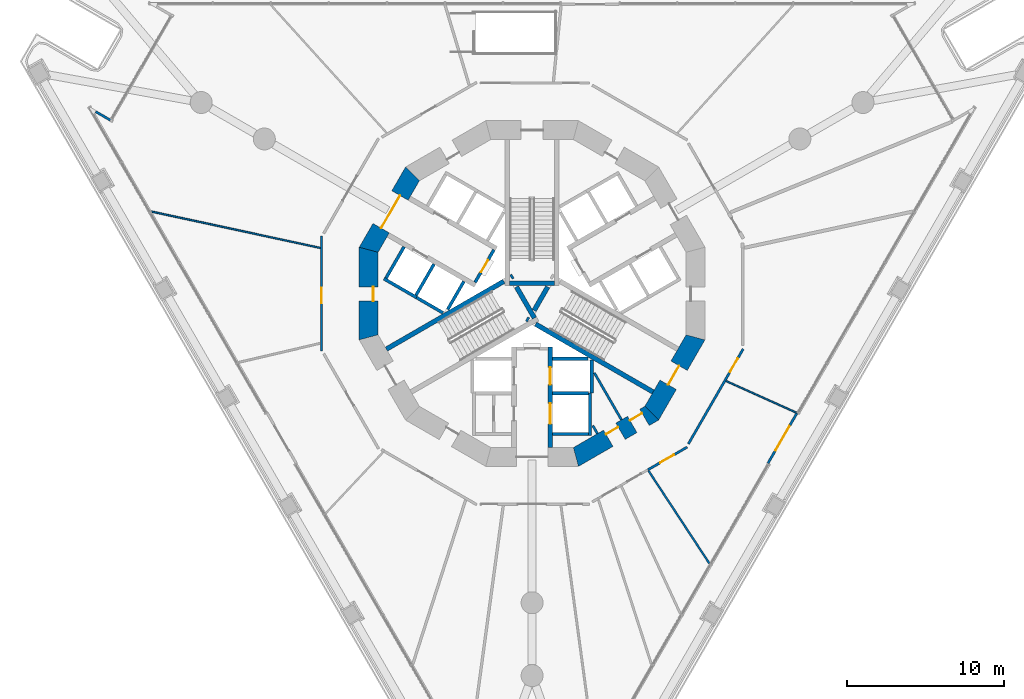
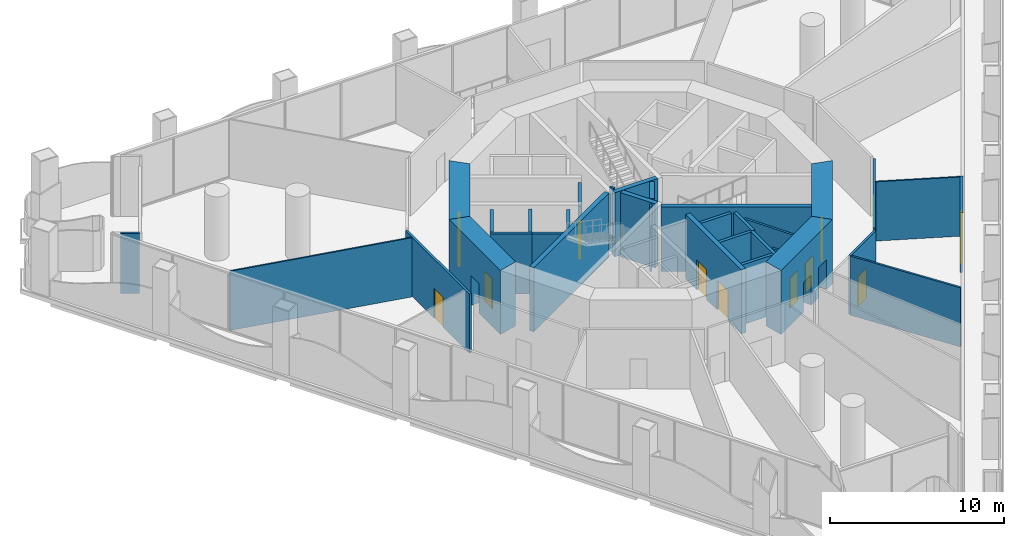
# One storey, part 11 of 21: 33 walls, 12 doors, 12 openings.
"""IFC4 building model written with IfcOpenShell, lengths in metres."""

from ifc_helpers import new_model, si_unit, direction, frame, frame_2d, origin, place, context, subcontext, project, spatial, polyline, rectangle, outline, extrude, material, layer, layer_set, type_object, element, fill, save


model = new_model("IFC4")

# Units and contexts
model_context = context("Model", 3, precision=1e-05, world=origin(), true_north=direction((0.0, 1.0)))
body_context = subcontext(model_context, "Body", "Model", "MODEL_VIEW")
ifc_project = project(units=[si_unit("LENGTHUNIT", "METRE"), si_unit("AREAUNIT", "SQUARE_METRE"), si_unit("VOLUMEUNIT", "CUBIC_METRE"), si_unit("PLANEANGLEUNIT", "RADIAN"), si_unit("MASSUNIT", "GRAM", prefix="KILO")], contexts=[model_context])

# Site, building, storey
site_placement = place(None, origin())
site = spatial("IfcSite", under=ifc_project, at=site_placement, CompositionType="ELEMENT")
building_placement = place(site_placement, origin())
building = spatial("IfcBuilding", under=site, at=building_placement, Name="Trine Commons Tower", CompositionType="ELEMENT")
storey_placement = place(building_placement, frame((0.0, 0.0, 27.0)))
storey = spatial("IfcBuildingStorey", under=building, at=storey_placement, Name="L05", CompositionType="ELEMENT", Elevation=27.0)

# Wall, opening, door
ifc_material_1 = material(Name="Plasterboard on steel stud", Category="steel")
ifc_layer_1 = layer(ifc_material_1, 0.14990234375)
ifc_layer_set_1 = layer_set([ifc_layer_1], Name="Plasterboard on steel stud")
wall_type_1 = type_object("IfcWallType", Name="Compartment wall 150 mm, EI 60", PredefinedType="PARTITIONING", material=ifc_layer_set_1)
wall_1_placement = place(storey_placement, frame((66.58837890625, 58.831298828125, 0.0), z_axis=(0.0, 0.0, 1.0), x_axis=(0.0, 1.0, 0.0)))
wall_1 = element("IfcWall", 1, at=wall_1_placement, inside=storey, type_object=wall_type_1, Name="Partition P5004", PredefinedType="PARTITIONING", context=body_context, shape_type="SweptSolid", body=[
    extrude(rectangle(XDim=7.33740234375, YDim=0.14990234375, at=frame_2d((3.668701171875, 0.0))), origin(), (0.0, 0.0, 1.0), 4.14990234375),
])
opening_1_placement = place(wall_1_placement, frame((3.039306640625, 0.0, 0.0)))
opening_1 = element("IfcOpeningElement", 2, at=opening_1_placement, cuts=wall_1, Name="Opening D-P501", PredefinedType="OPENING", context=body_context, shape_type="SweptSolid", body=[
    extrude(rectangle(XDim=1.0, YDim=2.10009765625, at=frame_2d((0.5, 1.050048828125))), frame((0.0, 0.0849609375, 0.0), z_axis=(0.0, -1.0, 0.0), x_axis=(1.0, 0.0, 0.0)), (0.0, 0.0, 1.0), 0.169921875),
])
ifc_material_2 = material(Name="Timber fire door set", Category="wood")
door_type_1 = type_object("IfcDoorType", Name="Single swing door 1000x2100, FD30S", OperationType="SINGLE_SWING_LEFT", PredefinedType="DOOR", material=ifc_material_2)
door_1_placement = place(opening_1_placement, origin())
door_1 = element("IfcDoor", 3, at=door_1_placement, inside=storey, type_object=door_type_1, Name="Door D-P501", OperationType="SINGLE_SWING_LEFT", OverallHeight=2.10009765625, OverallWidth=1.0, PredefinedType="DOOR", context=body_context, shape_type="SweptSolid", body=[
    extrude(rectangle(XDim=1.0, YDim=2.10009765625, at=frame_2d((0.5, 1.050048828125))), frame((0.0, 0.02490234375, 0.0), z_axis=(0.0, -1.0, 0.0), x_axis=(1.0, 0.0, 0.0)), (0.0, 0.0, 1.0), 0.050048828125),
])
fill(opening_1, door_1)

wall_2_placement = place(storey_placement, frame((89.8828125, 52.719482421875, 0.0), z_axis=(0.0, 0.0, 1.0), x_axis=(-0.866045189084, -0.49996572929, 0.0)))
wall_2 = element("IfcWall", 4, at=wall_2_placement, inside=storey, type_object=wall_type_1, Name="Partition P5024", PredefinedType="PARTITIONING", context=body_context, shape_type="SweptSolid", body=[
    extrude(rectangle(XDim=2.895751953125, YDim=0.14990234375, at=frame_2d((1.44775390625, 0.0))), origin(), (0.0, 0.0, 1.0), 4.14990234375),
])
opening_2_placement = place(wall_2_placement, frame((0.9853515625, 0.0, 0.0)))
opening_2 = element("IfcOpeningElement", 5, at=opening_2_placement, cuts=wall_2, Name="Opening D-P513", PredefinedType="OPENING", context=body_context, shape_type="SweptSolid", body=[
    extrude(rectangle(XDim=1.0, YDim=2.10009765625, at=frame_2d((0.5, 1.050048828125))), frame((0.0, 0.0849609375, 0.0), z_axis=(0.0, -1.0, 0.0), x_axis=(1.0, 0.0, 0.0)), (0.0, 0.0, 1.0), 0.169921875),
])
door_2_placement = place(opening_2_placement, origin())
door_2 = element("IfcDoor", 6, at=door_2_placement, inside=storey, type_object=door_type_1, Name="Door D-P513", OperationType="SINGLE_SWING_LEFT", OverallHeight=2.10009765625, OverallWidth=1.0, PredefinedType="DOOR", context=body_context, shape_type="SweptSolid", body=[
    extrude(rectangle(XDim=1.0, YDim=2.10009765625, at=frame_2d((0.5, 1.050048828125))), frame((0.0, 0.02490234375, 0.0), z_axis=(0.0, -1.0, 0.0), x_axis=(1.0, 0.0, 0.0)), (0.0, 0.0, 1.0), 0.050048828125),
])
fill(opening_2, door_2)

wall_3_placement = place(storey_placement, frame((93.448974609375, 58.971435546875, 0.0), z_axis=(0.0, 0.0, 1.0), x_axis=(-0.49997871953, -0.866037689721, 0.0)))
wall_3 = element("IfcWall", 7, at=wall_3_placement, inside=storey, type_object=wall_type_1, Name="Partition P5027", PredefinedType="PARTITIONING", context=body_context, shape_type="SweptSolid", body=[
    extrude(rectangle(XDim=6.982177734375, YDim=0.14990234375, at=frame_2d((3.4912109375, 0.0))), origin(), (0.0, 0.0, 1.0), 4.14990234375),
])
opening_3_placement = place(wall_3_placement, frame((0.697265625, 0.0, 0.0)))
opening_3 = element("IfcOpeningElement", 8, at=opening_3_placement, cuts=wall_3, Name="Opening D-P514", PredefinedType="OPENING", context=body_context, shape_type="SweptSolid", body=[
    extrude(rectangle(XDim=1.0, YDim=2.10009765625, at=frame_2d((0.5, 1.050048828125))), frame((0.0, 0.0849609375, 0.0), z_axis=(0.0, -1.0, 0.0), x_axis=(1.0, 0.0, 0.0)), (0.0, 0.0, 1.0), 0.169921875),
])
door_3_placement = place(opening_3_placement, origin())
door_3 = element("IfcDoor", 9, at=door_3_placement, inside=storey, type_object=door_type_1, Name="Door D-P514", OperationType="SINGLE_SWING_LEFT", OverallHeight=2.10009765625, OverallWidth=1.0, PredefinedType="DOOR", context=body_context, shape_type="SweptSolid", body=[
    extrude(rectangle(XDim=1.0, YDim=2.10009765625, at=frame_2d((0.5, 1.050048828125))), frame((0.0, 0.02490234375, 0.0), z_axis=(0.0, -1.0, 0.0), x_axis=(1.0, 0.0, 0.0)), (0.0, 0.0, 1.0), 0.050048828125),
])
fill(opening_3, door_3)

# Walls
ifc_material_3 = material(Name="Plasterboard partition on steel studs", Category="steel")
ifc_layer_2 = layer(ifc_material_3, 0.14990234375)
ifc_layer_set_2 = layer_set([ifc_layer_2], Name="Plasterboard partition on steel studs")
wall_type_2 = type_object("IfcWallType", Name="Core room partition 150 mm, EI 60", PredefinedType="PARTITIONING", material=ifc_layer_set_2)
wall_4_placement = place(storey_placement, frame((84.1640625, 53.574951171875, 0.0), z_axis=(0.0, 0.0, 1.0), x_axis=(-0.500665675203, 0.865640734759, 0.0)))
element("IfcWall", 10, at=wall_4_placement, inside=storey, type_object=wall_type_2, Name="Core room partition L05", PredefinedType="PARTITIONING", context=body_context, shape_type="SweptSolid", body=[
    extrude(rectangle(XDim=0.597412109375, YDim=0.14990234375, at=frame_2d((0.298828125, 0.0))), origin(), (0.0, 0.0, 1.0), 4.199951171875),
])
wall_5_placement = place(storey_placement, frame((85.693115234375, 54.4580078125, 0.0), z_axis=(0.0, 0.0, 1.0), x_axis=(-0.500258757272, 0.865875958653, 0.0)))
element("IfcWall", 11, at=wall_5_placement, inside=storey, type_object=wall_type_2, Name="Core room partition L05", PredefinedType="PARTITIONING", context=body_context, shape_type="SweptSolid", body=[
    extrude(rectangle(XDim=3.454345703125, YDim=0.14990234375, at=frame_2d((1.72705078125, 0.0))), origin(), (0.0, 0.0, 1.0), 4.199951171875),
])

# Wall, opening, door
ifc_material_4 = material(Name="Aluminium-framed insulated wall panel", Category="aluminium")
ifc_layer_3 = layer(ifc_material_4, 0.14990234375)
ifc_layer_set_3 = layer_set([ifc_layer_3], Name="Aluminium-framed insulated wall panel")
wall_type_3 = type_object("IfcWallType", Name="Glazed entrance wall 150, EI 60", PredefinedType="SOLIDWALL", material=ifc_layer_set_3)
wall_6_placement = place(storey_placement, frame((96.876708984375, 54.89208984375, 0.0), z_axis=(0.0, 0.0, 1.0), x_axis=(-0.500029062817, -0.866008623709, 0.0)))
wall_6 = element("IfcWall", 12, at=wall_6_placement, inside=storey, type_object=wall_type_3, Name="Glazed entrance wall L05 F2 7", PredefinedType="SOLIDWALL", context=body_context, shape_type="SweptSolid", body=[
    extrude(rectangle(XDim=3.698974609375, YDim=0.14990234375, at=frame_2d((1.849609375, 0.0))), origin(), (0.0, 0.0, 1.0), 4.199951171875),
])
opening_4_placement = place(wall_6_placement, frame((0.949462890625, 0.0, 0.0)))
opening_4 = element("IfcOpeningElement", 13, at=opening_4_placement, cuts=wall_6, Name="Opening SD-L05-F2-07", PredefinedType="OPENING", context=body_context, shape_type="SweptSolid", body=[
    extrude(rectangle(XDim=1.800048828125, YDim=2.39990234375, at=frame_2d((0.89990234375, 1.199951171875))), frame((0.0, 0.0849609375, 0.0), z_axis=(0.0, -1.0, 0.0), x_axis=(1.0, 0.0, 0.0)), (0.0, 0.0, 1.0), 0.169921875),
])
ifc_material_5 = material(Name="Anodised aluminium frame with double glazing", Category="aluminium")
door_type_2 = type_object("IfcDoorType", Name="Sliding double door 1800x2400", OperationType="DOUBLE_DOOR_SLIDING", PredefinedType="DOOR", material=ifc_material_5)
door_4_placement = place(opening_4_placement, origin())
door_4 = element("IfcDoor", 14, at=door_4_placement, inside=storey, type_object=door_type_2, Name="Loggia door L05 F2 7", OperationType="DOUBLE_DOOR_SLIDING", OverallHeight=2.39990234375, OverallWidth=1.800048828125, PredefinedType="DOOR", context=body_context, shape_type="SweptSolid", body=[
    extrude(rectangle(XDim=1.800048828125, YDim=2.39990234375, at=frame_2d((0.89990234375, 1.199951171875))), frame((0.0, 0.02490234375, 0.0), z_axis=(0.0, -1.0, 0.0), x_axis=(1.0, 0.0, 0.0)), (0.0, 0.0, 1.0), 0.050048828125),
])
fill(opening_4, door_4)

# Wall
ifc_layer_4 = layer(ifc_material_4, 0.14990234375)
ifc_layer_set_4 = layer_set([ifc_layer_4], Name="Aluminium-framed insulated wall panel")
wall_type_4 = type_object("IfcWallType", Name="Glazed frame wall 150, EI 60", PredefinedType="SOLIDWALL", material=ifc_layer_set_4)
wall_7_placement = place(storey_placement, frame((52.074462890625, 74.159912109375, 0.0), z_axis=(0.0, 0.0, 1.0), x_axis=(0.865989100438, -0.500062873969, 0.0)))
element("IfcWall", 15, at=wall_7_placement, inside=storey, type_object=wall_type_4, Name="Glazed frame wall L05 R1", PredefinedType="SOLIDWALL", context=body_context, shape_type="SweptSolid", body=[
    extrude(outline(polyline([(0.1494140625, 0.074951171875), (0.1494140625, -0.074951171875), (1.235107421875, -0.074951171875), (1.235107421875, 0.074951171875), (0.1494140625, 0.074951171875)])), origin(), (0.0, 0.0, 1.0), 4.199951171875),
])

# Wall, opening, door
ifc_material_6 = material(Name="Fire-rated gypsum shaft wall system")
ifc_layer_5 = layer(ifc_material_6, 0.199951171875)
ifc_layer_set_5 = layer_set([ifc_layer_5], Name="Fire-rated gypsum shaft wall system")
wall_type_5 = type_object("IfcWallType", Name="Lobby end wall 200 mm, EI 120", PredefinedType="PARTITIONING", material=ifc_layer_set_5)
wall_8_placement = place(storey_placement, frame((77.569091796875, 65.2890625, 0.0), z_axis=(0.0, 0.0, 1.0), x_axis=(-0.50012165622, -0.865955154139, 0.0)))
wall_8 = element("IfcWall", 16, at=wall_8_placement, inside=storey, type_object=wall_type_5, Name="Lobby end wall L05", PredefinedType="PARTITIONING", context=body_context, shape_type="SweptSolid", body=[
    extrude(rectangle(XDim=2.39990234375, YDim=0.199951171875, at=frame_2d((1.199951171875, 0.0))), origin(), (0.0, 0.0, 1.0), 4.199951171875),
])
opening_5_placement = place(wall_8_placement, frame((0.749755859375, 0.0, 0.0)))
opening_5 = element("IfcOpeningElement", 17, at=opening_5_placement, cuts=wall_8, Name="Opening K04.07", PredefinedType="OPENING", context=body_context, shape_type="SweptSolid", body=[
    extrude(rectangle(XDim=0.89990234375, YDim=2.10009765625, at=frame_2d((0.449951171875, 1.050048828125))), frame((0.0, 0.10986328125, 0.0), z_axis=(0.0, -1.0, 0.0), x_axis=(1.0, 0.0, 0.0)), (0.0, 0.0, 1.0), 0.219970703125),
])
ifc_material_7 = material(Name="Steel door leaf, fire-rated", Category="steel")
door_type_3 = type_object("IfcDoorType", Name="Riser access door, single leaf 900 x 2100, FD60", OperationType="SINGLE_SWING_LEFT", PredefinedType="DOOR", material=ifc_material_7)
door_5_placement = place(opening_5_placement, frame((0.89990234375, 0.0, 0.0), z_axis=(0.0, 0.0, 1.0), x_axis=(-1.0, 0.0, 0.0)))
door_5 = element("IfcDoor", 18, at=door_5_placement, inside=storey, type_object=door_type_3, Name="Riser door, Mechanical riser L05", OperationType="SINGLE_SWING_RIGHT", OverallHeight=2.10009765625, OverallWidth=0.89990234375, PredefinedType="DOOR", context=body_context, shape_type="SweptSolid", body=[
    extrude(rectangle(XDim=0.89990234375, YDim=2.10009765625, at=frame_2d((0.449951171875, 1.050048828125))), frame((0.0, 0.02490234375, 0.0), z_axis=(0.0, -1.0, 0.0), x_axis=(1.0, 0.0, 0.0)), (0.0, 0.0, 1.0), 0.050048828125),
])
fill(opening_5, door_5)

# Walls
ifc_layer_6 = layer(ifc_material_1, 0.10009765625)
ifc_layer_set_6 = layer_set([ifc_layer_6], Name="Plasterboard on steel stud")
wall_type_6 = type_object("IfcWallType", Name="Partition wall 100 mm stud, not rated", PredefinedType="PARTITIONING", material=ifc_layer_set_6)
wall_9_placement = place(storey_placement, frame((55.756103515625, 67.722412109375, 0.0), z_axis=(0.0, 0.0, 1.0), x_axis=(0.97757728006, -0.210576972887, 0.0)))
element("IfcWall", 19, at=wall_9_placement, inside=storey, type_object=wall_type_6, Name="Partition P5001", PredefinedType="PARTITIONING", context=body_context, shape_type="SweptSolid", body=[
    extrude(rectangle(XDim=10.993408203125, YDim=0.10009765625, at=frame_2d((5.49658203125, 0.0))), origin(), (0.0, 0.0, 1.0), 4.14990234375),
])
wall_10_placement = place(storey_placement, frame((92.36279296875, 56.9296875, 0.0), z_axis=(0.0, 0.0, 1.0), x_axis=(0.911740277215, -0.410767168727, 0.0)))
element("IfcWall", 20, at=wall_10_placement, inside=storey, type_object=wall_type_6, Name="Partition P5029", PredefinedType="PARTITIONING", context=body_context, shape_type="SweptSolid", body=[
    extrude(rectangle(XDim=4.917724609375, YDim=0.10009765625, at=frame_2d((2.458984375, 0.0))), origin(), (0.0, 0.0, 1.0), 4.14990234375),
])

# Wall, opening, door
ifc_material_8 = material(Name="Concrete C80/95", Category="concrete")
ifc_layer_7 = layer(ifc_material_8, 1.199951171875)
ifc_layer_set_7 = layer_set([ifc_layer_7], Name="Concrete C80/95")
wall_type_7 = type_object("IfcWallType", Name="RC shear wall 1200 mm, C80/95", PredefinedType="SHEAR", material=ifc_layer_set_7)
wall_11_placement = place(storey_placement, frame((72.45849609375, 70.260986328125, 0.0), z_axis=(0.0, 0.0, 1.0), x_axis=(-0.499979111662, -0.866037463336, 0.0)))
wall_11 = element("IfcWall", 21, at=wall_11_placement, inside=storey, type_object=wall_type_7, Name="Core wall CWA-06 L05", PredefinedType="SHEAR", context=body_context, shape_type="SweptSolid", body=[
    extrude(outline(polyline([(0.0, -0.60009765625), (5.901123046875, -0.60009765625), (5.57958984375, 0.60009765625), (0.321533203125, 0.60009765625), (0.0, -0.60009765625)])), origin(), (0.0, 0.0, 1.0), 4.5),
])
opening_6_placement = place(wall_11_placement, frame((1.75048828125, 0.0, 0.0)))
opening_6 = element("IfcOpeningElement", 22, at=opening_6_placement, cuts=wall_11, Name="Opening K04.06", PredefinedType="OPENING", context=body_context, shape_type="SweptSolid", body=[
    extrude(rectangle(XDim=2.39990234375, YDim=2.10009765625, at=frame_2d((1.199951171875, 1.050048828125))), frame((0.0, 0.60986328125, 0.0), z_axis=(0.0, -1.0, 0.0), x_axis=(1.0, 0.0, 0.0)), (0.0, 0.0, 1.0), 1.219970703125),
])
ifc_material_9 = material(Name="Steel door leaves, fire-rated", Category="steel")
door_type_4 = type_object("IfcDoorType", Name="Lobby door, double leaf 2400 x 2100, FD60", OperationType="DOUBLE_DOOR_SINGLE_SWING", PredefinedType="DOOR", material=ifc_material_9)
door_6_placement = place(opening_6_placement, origin())
door_6 = element("IfcDoor", 23, at=door_6_placement, inside=storey, type_object=door_type_4, Name="Lobby door, Passenger lift lobby B L05", OperationType="DOUBLE_DOOR_SINGLE_SWING", OverallHeight=2.10009765625, OverallWidth=2.39990234375, PredefinedType="DOOR", context=body_context, shape_type="SweptSolid", body=[
    extrude(rectangle(XDim=2.39990234375, YDim=2.10009765625, at=frame_2d((1.199951171875, 1.050048828125))), frame((0.0, 0.02490234375, 0.0), z_axis=(0.0, -1.0, 0.0), x_axis=(1.0, 0.0, 0.0)), (0.0, 0.0, 1.0), 0.050048828125),
])
fill(opening_6, door_6)

wall_12_placement = place(storey_placement, frame((69.58837890625, 65.450439453125, 0.0), z_axis=(0.0, 0.0, 1.0), x_axis=(0.0, -1.0, 0.0)))
wall_12 = element("IfcWall", 24, at=wall_12_placement, inside=storey, type_object=wall_type_7, Name="Core wall CWA-07 L05", PredefinedType="SHEAR", context=body_context, shape_type="SweptSolid", body=[
    extrude(outline(polyline([(0.0, -0.60009765625), (5.90087890625, -0.60009765625), (5.57958984375, 0.60009765625), (0.321533203125, 0.60009765625), (0.0, -0.60009765625)])), origin(), (0.0, 0.0, 1.0), 4.5),
])
opening_7_placement = place(wall_12_placement, frame((2.525390625, 0.0, 0.0)))
opening_7 = element("IfcOpeningElement", 25, at=opening_7_placement, cuts=wall_12, Name="Opening K04.14", PredefinedType="OPENING", context=body_context, shape_type="SweptSolid", body=[
    extrude(rectangle(XDim=0.89990234375, YDim=2.10009765625, at=frame_2d((0.449951171875, 1.050048828125))), frame((0.0, 0.60986328125, 0.0), z_axis=(0.0, -1.0, 0.0), x_axis=(1.0, 0.0, 0.0)), (0.0, 0.0, 1.0), 1.219970703125),
])
door_type_5 = type_object("IfcDoorType", Name="Core room door, single leaf 900 x 2100, FD30S", OperationType="SINGLE_SWING_LEFT", PredefinedType="DOOR", material=ifc_material_7)
door_7_placement = place(opening_7_placement, origin())
door_7 = element("IfcDoor", 26, at=door_7_placement, inside=storey, type_object=door_type_5, Name="Door to Print room L05", OperationType="SINGLE_SWING_RIGHT", OverallHeight=2.10009765625, OverallWidth=0.89990234375, PredefinedType="DOOR", context=body_context, shape_type="SweptSolid", body=[
    extrude(rectangle(XDim=0.89990234375, YDim=2.10009765625, at=frame_2d((0.449951171875, 1.050048828125))), frame((0.0, 0.3251953125, 0.0), z_axis=(0.0, -1.0, 0.0), x_axis=(1.0, 0.0, 0.0)), (0.0, 0.0, 1.0), 0.050048828125),
])
fill(opening_7, door_7)

# Wall, openings, doors
wall_13_placement = place(storey_placement, frame((82.650390625, 52.008056640625, 0.0), z_axis=(0.0, 0.0, 1.0), x_axis=(0.866037463336, 0.499979111662, 0.0)))
wall_13 = element("IfcWall", 27, at=wall_13_placement, inside=storey, type_object=wall_type_7, Name="Core wall CWA-11 L05", PredefinedType="SHEAR", context=body_context, shape_type="SweptSolid", body=[
    extrude(outline(polyline([(0.0, -0.60009765625), (5.901123046875, -0.60009765625), (5.57958984375, 0.60009765625), (0.321533203125, 0.60009765625), (0.0, -0.60009765625)])), origin(), (0.0, 0.0, 1.0), 4.5),
])
opening_8_placement = place(wall_13_placement, frame((2.543701171875, 0.0, 0.0)))
opening_8 = element("IfcOpeningElement", 28, at=opening_8_placement, cuts=wall_13, Name="Opening K04.16", PredefinedType="OPENING", context=body_context, shape_type="SweptSolid", body=[
    extrude(rectangle(XDim=0.89990234375, YDim=2.10009765625, at=frame_2d((0.449951171875, 1.050048828125))), frame((0.0, 0.60986328125, 0.0), z_axis=(0.0, -1.0, 0.0), x_axis=(1.0, 0.0, 0.0)), (0.0, 0.0, 1.0), 1.219970703125),
])
opening_9_placement = place(wall_13_placement, frame((4.308837890625, 0.0, 0.0)))
opening_9 = element("IfcOpeningElement", 29, at=opening_9_placement, cuts=wall_13, Name="Opening K04.17", PredefinedType="OPENING", context=body_context, shape_type="SweptSolid", body=[
    extrude(rectangle(XDim=0.89990234375, YDim=2.10009765625, at=frame_2d((0.449951171875, 1.050048828125))), frame((0.0, 0.60986328125, 0.0), z_axis=(0.0, -1.0, 0.0), x_axis=(1.0, 0.0, 0.0)), (0.0, 0.0, 1.0), 1.219970703125),
])
door_8_placement = place(opening_8_placement, origin())
door_8 = element("IfcDoor", 30, at=door_8_placement, inside=storey, type_object=door_type_5, Name="Door to Linen store L05", OperationType="SINGLE_SWING_RIGHT", OverallHeight=2.10009765625, OverallWidth=0.89990234375, PredefinedType="DOOR", context=body_context, shape_type="SweptSolid", body=[
    extrude(rectangle(XDim=0.89990234375, YDim=2.10009765625, at=frame_2d((0.449951171875, 1.050048828125))), frame((0.0, 0.3251953125, 0.0), z_axis=(0.0, -1.0, 0.0), x_axis=(1.0, 0.0, 0.0)), (0.0, 0.0, 1.0), 0.050048828125),
])
fill(opening_8, door_8)
door_9_placement = place(opening_9_placement, origin())
door_9 = element("IfcDoor", 31, at=door_9_placement, inside=storey, type_object=door_type_5, Name="Door to Pantry L05", OperationType="SINGLE_SWING_RIGHT", OverallHeight=2.10009765625, OverallWidth=0.89990234375, PredefinedType="DOOR", context=body_context, shape_type="SweptSolid", body=[
    extrude(rectangle(XDim=0.89990234375, YDim=2.10009765625, at=frame_2d((0.449951171875, 1.050048828125))), frame((0.0, 0.3251953125, 0.0), z_axis=(0.0, -1.0, 0.0), x_axis=(1.0, 0.0, 0.0)), (0.0, 0.0, 1.0), 0.050048828125),
])
fill(opening_9, door_9)

# Wall, opening, door
wall_14_placement = place(storey_placement, frame((87.54150390625, 54.739013671875, 0.0), z_axis=(0.0, 0.0, 1.0), x_axis=(0.499979111662, 0.866037463336, 0.0)))
wall_14 = element("IfcWall", 32, at=wall_14_placement, inside=storey, type_object=wall_type_7, Name="Core wall CWA-12 L05", PredefinedType="SHEAR", context=body_context, shape_type="SweptSolid", body=[
    extrude(outline(polyline([(0.0, -0.60009765625), (5.901123046875, -0.60009765625), (5.57958984375, 0.60009765625), (0.321533203125, 0.60009765625), (0.0, -0.60009765625)])), origin(), (0.0, 0.0, 1.0), 4.5),
])
opening_10_placement = place(wall_14_placement, frame((2.25048828125, 0.0, 0.0)))
opening_10 = element("IfcOpeningElement", 33, at=opening_10_placement, cuts=wall_14, Name="Opening K04.03", PredefinedType="OPENING", context=body_context, shape_type="SweptSolid", body=[
    extrude(rectangle(XDim=1.39990234375, YDim=2.10009765625, at=frame_2d((0.699951171875, 1.050048828125))), frame((0.0, 0.60986328125, 0.0), z_axis=(0.0, -1.0, 0.0), x_axis=(1.0, 0.0, 0.0)), (0.0, 0.0, 1.0), 1.219970703125),
])
door_type_6 = type_object("IfcDoorType", Name="Stair door, double leaf 1400 x 2100, FD90", OperationType="DOUBLE_DOOR_SINGLE_SWING", PredefinedType="DOOR", material=ifc_material_9)
door_10_placement = place(opening_10_placement, origin())
door_10 = element("IfcDoor", 34, at=door_10_placement, inside=storey, type_object=door_type_6, Name="Stair door to Exit stair ST3A L05", OperationType="DOUBLE_DOOR_SINGLE_SWING", OverallHeight=2.10009765625, OverallWidth=1.39990234375, PredefinedType="DOOR", context=body_context, shape_type="SweptSolid", body=[
    extrude(rectangle(XDim=1.39990234375, YDim=2.10009765625, at=frame_2d((0.699951171875, 1.050048828125))), frame((0.0, 0.02490234375, 0.0), z_axis=(0.0, -1.0, 0.0), x_axis=(1.0, 0.0, 0.0)), (0.0, 0.0, 1.0), 0.050048828125),
])
fill(opening_10, door_10)

# Wall, openings, doors
ifc_layer_8 = layer(ifc_material_8, 0.300048828125)
ifc_layer_set_8 = layer_set([ifc_layer_8], Name="Concrete C80/95")
wall_type_8 = type_object("IfcWallType", Name="RC shear wall 300 mm, C80/95", PredefinedType="SHEAR", material=ifc_layer_set_8)
wall_15_placement = place(storey_placement, frame((81.14990234375, 59.10009765625, 0.0), z_axis=(0.0, 0.0, 1.0), x_axis=(0.0, -1.0, 0.0)))
wall_15 = element("IfcWall", 35, at=wall_15_placement, inside=storey, type_object=wall_type_8, Name="Core cross wall SWA-04 L05", PredefinedType="SHEAR", context=body_context, shape_type="SweptSolid", body=[
    extrude(rectangle(XDim=6.412109375, YDim=0.300048828125, at=frame_2d((3.2060546875, 0.0))), origin(), (0.0, 0.0, 1.0), 4.5),
])
opening_11_placement = place(wall_15_placement, frame((3.60009765625, 0.0, 0.0)))
opening_11 = element("IfcOpeningElement", 36, at=opening_11_placement, cuts=wall_15, Name="Opening LD11", PredefinedType="OPENING", context=body_context, shape_type="SweptSolid", body=[
    extrude(rectangle(XDim=1.300048828125, YDim=2.10009765625, at=frame_2d((0.64990234375, 1.050048828125))), frame((0.0, 0.159912109375, 0.0), z_axis=(0.0, -1.0, 0.0), x_axis=(1.0, 0.0, 0.0)), (0.0, 0.0, 1.0), 0.320068359375),
])
opening_12_placement = place(wall_15_placement, frame((1.300048828125, 0.0, 0.0)))
opening_12 = element("IfcOpeningElement", 37, at=opening_12_placement, cuts=wall_15, Name="Opening LD9", PredefinedType="OPENING", context=body_context, shape_type="SweptSolid", body=[
    extrude(rectangle(XDim=1.10009765625, YDim=2.10009765625, at=frame_2d((0.550048828125, 1.050048828125))), frame((0.0, 0.159912109375, 0.0), z_axis=(0.0, -1.0, 0.0), x_axis=(1.0, 0.0, 0.0)), (0.0, 0.0, 1.0), 0.320068359375),
])
ifc_material_10 = material(Name="Stainless steel sliding door leaves", Category="steel")
door_type_7 = type_object("IfcDoorType", Name="Lift landing door, centre-opening sliding 1100 x 2100, FD90", OperationType="DOUBLE_DOOR_SLIDING", PredefinedType="DOOR", material=ifc_material_10)
door_11_placement = place(opening_12_placement, origin())
door_11 = element("IfcDoor", 38, at=door_11_placement, inside=storey, type_object=door_type_7, Name="Lift landing door FF1 L05", OperationType="DOUBLE_DOOR_SLIDING", OverallHeight=2.10009765625, OverallWidth=1.10009765625, PredefinedType="DOOR", context=body_context, shape_type="SweptSolid", body=[
    extrude(rectangle(XDim=1.10009765625, YDim=2.10009765625, at=frame_2d((0.550048828125, 1.050048828125))), frame((0.0, 0.02490234375, 0.0), z_axis=(0.0, -1.0, 0.0), x_axis=(1.0, 0.0, 0.0)), (0.0, 0.0, 1.0), 0.050048828125),
])
fill(opening_12, door_11)
door_type_8 = type_object("IfcDoorType", Name="Lift landing door, centre-opening sliding 1300 x 2100, FD90", OperationType="DOUBLE_DOOR_SLIDING", PredefinedType="DOOR", material=ifc_material_10)
door_12_placement = place(opening_11_placement, origin())
door_12 = element("IfcDoor", 39, at=door_12_placement, inside=storey, type_object=door_type_8, Name="Lift landing door G1 L05", OperationType="DOUBLE_DOOR_SLIDING", OverallHeight=2.10009765625, OverallWidth=1.300048828125, PredefinedType="DOOR", context=body_context, shape_type="SweptSolid", body=[
    extrude(rectangle(XDim=1.300048828125, YDim=2.10009765625, at=frame_2d((0.64990234375, 1.050048828125))), frame((0.0, 0.02490234375, 0.0), z_axis=(0.0, -1.0, 0.0), x_axis=(1.0, 0.0, 0.0)), (0.0, 0.0, 1.0), 0.050048828125),
])
fill(opening_11, door_12)

# Walls
wall_16_placement = place(storey_placement, frame((78.199951171875, 63.280029296875, 0.0), z_axis=(0.0, 0.0, 1.0), x_axis=(-0.865965399159, -0.500103916661, 0.0)))
element("IfcWall", 40, at=wall_16_placement, inside=storey, type_object=wall_type_8, Name="Core cross wall SWA-07 L05", PredefinedType="SHEAR", context=body_context, shape_type="SweptSolid", body=[
    extrude(rectangle(XDim=8.642333984375, YDim=0.300048828125, at=frame_2d((4.3212890625, 0.0))), origin(), (0.0, 0.0, 1.0), 4.5),
])
wall_17_placement = place(storey_placement, frame((78.779052734375, 63.614013671875, 0.0), z_axis=(0.0, 0.0, 1.0), x_axis=(-0.867737973955, -0.497021939713, 0.0)))
element("IfcWall", 41, at=wall_17_placement, inside=storey, type_object=wall_type_8, Name="Core cross wall SWA-09 L05", PredefinedType="SHEAR", context=body_context, shape_type="SweptSolid", body=[
    extrude(rectangle(XDim=0.14892578125, YDim=0.300048828125, at=frame_2d((0.074462890625, 0.0))), origin(), (0.0, 0.0, 1.0), 4.5),
])
wall_18_placement = place(storey_placement, frame((79.0029296875, 62.926025390625, 0.0), z_axis=(0.0, 0.0, 1.0), x_axis=(0.499965247104, -0.866045467449, 0.0)))
element("IfcWall", 42, at=wall_18_placement, inside=storey, type_object=wall_type_8, Name="Core cross wall SWA-10 L05", PredefinedType="SHEAR", context=body_context, shape_type="SweptSolid", body=[
    extrude(rectangle(XDim=2.292236328125, YDim=0.300048828125, at=frame_2d((1.14599609375, 0.0))), origin(), (0.0, 0.0, 1.0), 4.5),
])
wall_19_placement = place(storey_placement, frame((79.64599609375, 60.885986328125, 0.0), z_axis=(0.0, 0.0, 1.0), x_axis=(0.867331893649, -0.497730234424, 0.0)))
element("IfcWall", 43, at=wall_19_placement, inside=storey, type_object=wall_type_8, Name="Core cross wall SWA-11 L05", PredefinedType="SHEAR", context=body_context, shape_type="SweptSolid", body=[
    extrude(rectangle(XDim=0.148681640625, YDim=0.300048828125, at=frame_2d((0.07421875, 0.0))), origin(), (0.0, 0.0, 1.0), 4.5),
])
wall_20_placement = place(storey_placement, frame((80.1298828125, 61.424072265625, 0.0), z_axis=(0.0, 0.0, 1.0), x_axis=(0.500014901547, 0.866016800201, 0.0)))
element("IfcWall", 44, at=wall_20_placement, inside=storey, type_object=wall_type_8, Name="Core cross wall SWA-12 L05", PredefinedType="SHEAR", context=body_context, shape_type="SweptSolid", body=[
    extrude(rectangle(XDim=1.734375, YDim=0.300048828125, at=frame_2d((0.8671875, 0.0))), origin(), (0.0, 0.0, 1.0), 4.5),
])
wall_21_placement = place(storey_placement, frame((80.22509765625, 60.552001953125, 0.0), z_axis=(0.0, 0.0, 1.0), x_axis=(0.865965399159, -0.500103916661, 0.0)))
element("IfcWall", 45, at=wall_21_placement, inside=storey, type_object=wall_type_8, Name="Core cross wall SWA-13 L05", PredefinedType="SHEAR", context=body_context, shape_type="SweptSolid", body=[
    extrude(rectangle(XDim=8.642333984375, YDim=0.300048828125, at=frame_2d((4.3212890625, 0.0))), origin(), (0.0, 0.0, 1.0), 4.5),
])
wall_22_placement = place(storey_placement, frame((81.425048828125, 63.15087890625, 0.0), z_axis=(0.0, 0.0, 1.0), x_axis=(-1.0, 0.0, 0.0)))
element("IfcWall", 46, at=wall_22_placement, inside=storey, type_object=wall_type_8, Name="Core cross wall SWA-16 L05", PredefinedType="SHEAR", context=body_context, shape_type="SweptSolid", body=[
    extrude(rectangle(XDim=2.85009765625, YDim=0.300048828125, at=frame_2d((1.425048828125, 0.0))), origin(), (0.0, 0.0, 1.0), 4.5),
])
ifc_layer_9 = layer(ifc_material_6, 0.199951171875)
ifc_layer_set_9 = layer_set([ifc_layer_9], Name="Fire-rated gypsum shaft wall system")
wall_type_9 = type_object("IfcWallType", Name="Shaft wall 200 mm, EI 120", PredefinedType="PARTITIONING", material=ifc_layer_set_9)
wall_23_placement = place(storey_placement, frame((71.844970703125, 65.47607421875, 0.0), z_axis=(0.0, 0.0, 1.0), x_axis=(-0.500136062276, -0.86594683394, 0.0)))
element("IfcWall", 47, at=wall_23_placement, inside=storey, type_object=wall_type_9, Name="Shaft wall L05", PredefinedType="PARTITIONING", context=body_context, shape_type="SweptSolid", body=[
    extrude(rectangle(XDim=2.299072265625, YDim=0.199951171875, at=frame_2d((1.1494140625, 0.0))), origin(), (0.0, 0.0, 1.0), 4.199951171875),
])
wall_24_placement = place(storey_placement, frame((72.637939453125, 62.248046875, 0.0), z_axis=(0.0, 0.0, 1.0), x_axis=(-0.866177122335, 0.499737123639, 0.0)))
element("IfcWall", 48, at=wall_24_placement, inside=storey, type_object=wall_type_9, Name="Shaft wall L05", PredefinedType="PARTITIONING", context=body_context, shape_type="SweptSolid", body=[
    extrude(rectangle(XDim=2.401123046875, YDim=0.199951171875, at=frame_2d((1.20068359375, 0.0))), origin(), (0.0, 0.0, 1.0), 4.199951171875),
])
wall_25_placement = place(storey_placement, frame((73.7509765625, 64.3759765625, 0.0), z_axis=(0.0, 0.0, 1.0), x_axis=(-0.500136062276, -0.86594683394, 0.0)))
element("IfcWall", 49, at=wall_25_placement, inside=storey, type_object=wall_type_9, Name="Shaft wall L05", PredefinedType="PARTITIONING", context=body_context, shape_type="SweptSolid", body=[
    extrude(rectangle(XDim=2.299072265625, YDim=0.199951171875, at=frame_2d((1.1494140625, 0.0))), origin(), (0.0, 0.0, 1.0), 4.199951171875),
])
wall_26_placement = place(storey_placement, frame((74.324951171875, 61.27294921875, 0.0), z_axis=(0.0, 0.0, 1.0), x_axis=(-0.865780634835, 0.500423712812, 0.0)))
element("IfcWall", 50, at=wall_26_placement, inside=storey, type_object=wall_type_9, Name="Shaft wall L05", PredefinedType="PARTITIONING", context=body_context, shape_type="SweptSolid", body=[
    extrude(rectangle(XDim=1.948486328125, YDim=0.199951171875, at=frame_2d((0.97412109375, 0.0))), origin(), (0.0, 0.0, 1.0), 4.199951171875),
])
wall_27_placement = place(storey_placement, frame((75.656005859375, 63.27587890625, 0.0), z_axis=(0.0, 0.0, 1.0), x_axis=(-0.500271688072, -0.86586848777, 0.0)))
element("IfcWall", 51, at=wall_27_placement, inside=storey, type_object=wall_type_9, Name="Shaft wall L05", PredefinedType="PARTITIONING", context=body_context, shape_type="SweptSolid", body=[
    extrude(rectangle(XDim=2.064697265625, YDim=0.199951171875, at=frame_2d((1.0322265625, 0.0))), origin(), (0.0, 0.0, 1.0), 4.199951171875),
])
for number, where, z_axis, x_axis, name in (
    (52, (81.300048828125, 53.550048828125, 0.0), (0.0, 0.0, 1.0), (1.0, 0.0, 0.0), "Shaft wall L05"),
    (53, (81.300048828125, 56.14990234375, 0.0), (0.0, 0.0, 1.0), (1.0, 0.0, 0.0), "Shaft wall L05"),
):
    element("IfcWall", number, at=place(storey_placement, frame(where, z_axis=z_axis, x_axis=x_axis)), inside=storey, type_object=wall_type_9, Name=name, PredefinedType="PARTITIONING", context=body_context, shape_type="SweptSolid", body=[
        extrude(rectangle(XDim=2.300048828125, YDim=0.199951171875, at=frame_2d((1.14990234375, 0.0))), origin(), (0.0, 0.0, 1.0), 4.199951171875),
    ])
wall_28_placement = place(storey_placement, frame((81.300048828125, 58.35009765625, 0.0), z_axis=(0.0, 0.0, 1.0), x_axis=(1.0, 0.0, 0.0)))
element("IfcWall", 54, at=wall_28_placement, inside=storey, type_object=wall_type_9, Name="Shaft wall L05", PredefinedType="PARTITIONING", context=body_context, shape_type="SweptSolid", body=[
    extrude(rectangle(XDim=2.264892578125, YDim=0.199951171875, at=frame_2d((1.13232421875, 0.0))), origin(), (0.0, 0.0, 1.0), 4.199951171875),
])
wall_29_placement = place(storey_placement, frame((83.699951171875, 56.14990234375, 0.0), z_axis=(0.0, 0.0, 1.0), x_axis=(0.0, -1.0, 0.0)))
element("IfcWall", 55, at=wall_29_placement, inside=storey, type_object=wall_type_9, Name="Shaft wall L05", PredefinedType="PARTITIONING", context=body_context, shape_type="SweptSolid", body=[
    extrude(rectangle(XDim=2.699951171875, YDim=0.199951171875, at=frame_2d((1.35009765625, 0.0))), origin(), (0.0, 0.0, 1.0), 4.199951171875),
])
wall_30_placement = place(storey_placement, frame((83.800048828125, 58.256103515625, 0.0), z_axis=(0.0, 0.0, 1.0), x_axis=(0.0, -1.0, 0.0)))
element("IfcWall", 56, at=wall_30_placement, inside=storey, type_object=wall_type_9, Name="Shaft wall L05", PredefinedType="PARTITIONING", context=body_context, shape_type="SweptSolid", body=[
    extrude(rectangle(XDim=2.106201171875, YDim=0.199951171875, at=frame_2d((1.05322265625, 0.0))), origin(), (0.0, 0.0, 1.0), 4.199951171875),
])
ifc_layer_10 = layer(ifc_material_1, 0.125)
ifc_layer_set_10 = layer_set([ifc_layer_10], Name="Plasterboard on steel stud")
wall_type_10 = type_object("IfcWallType", Name="Wet wall 125 mm stud, not rated", PredefinedType="PARTITIONING", material=ifc_layer_set_10)
wall_31_placement = place(storey_placement, frame((87.41845703125, 51.2060546875, 0.0), z_axis=(0.0, 0.0, 1.0), x_axis=(0.549002770842, -0.835820529544, 0.0)))
element("IfcWall", 57, at=wall_31_placement, inside=storey, type_object=wall_type_10, Name="Partition P5025", PredefinedType="PARTITIONING", context=body_context, shape_type="SweptSolid", body=[
    extrude(rectangle(XDim=7.066650390625, YDim=0.125, at=frame_2d((3.533203125, 0.0))), origin(), (0.0, 0.0, 1.0), 4.14990234375),
])

save(model, "model.ifc")
